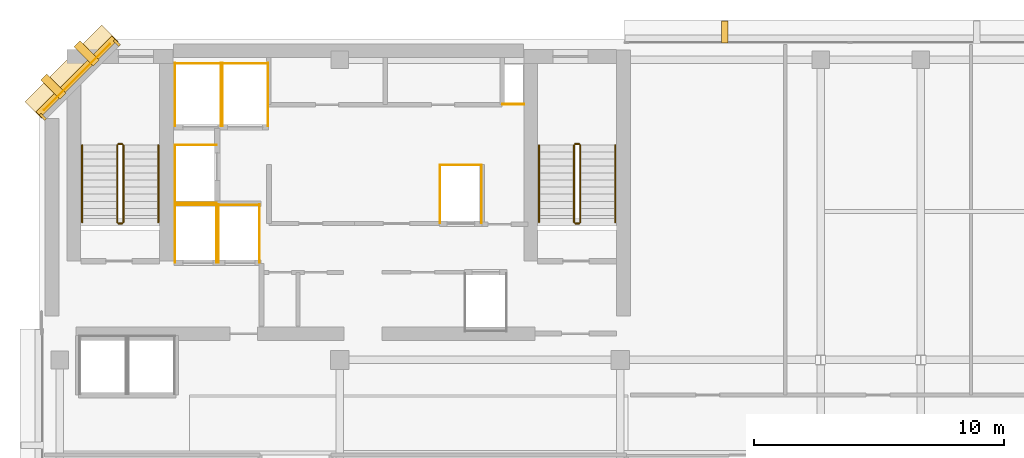
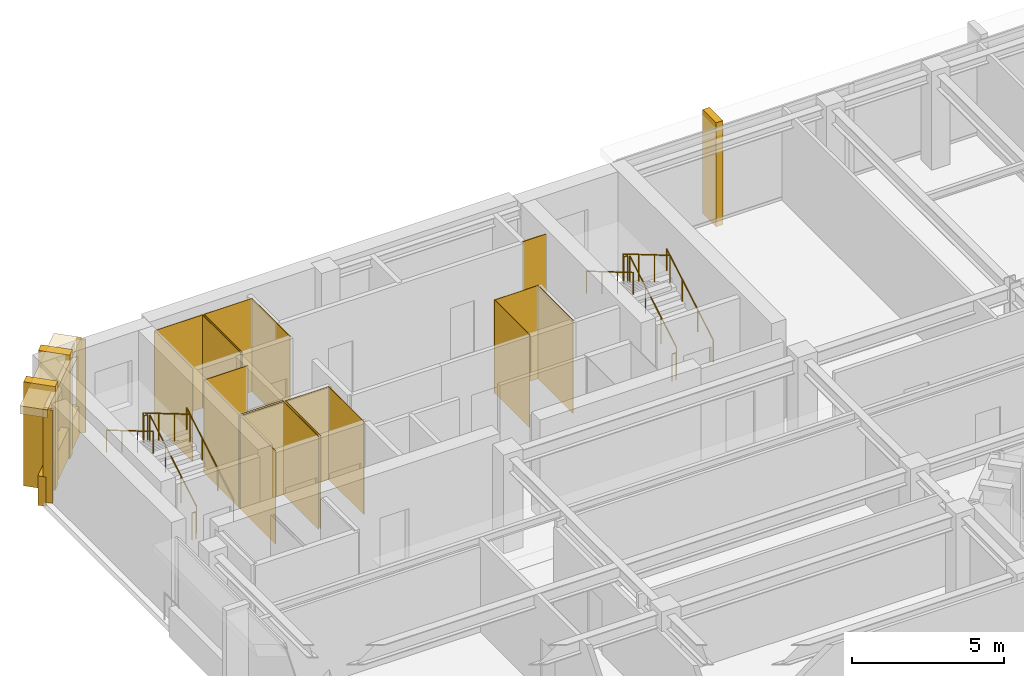
# One storey, part 10 of 11: 27 coverings, 12 railings.
"""IFC4 building model written with IfcOpenShell, lengths in metres."""

from ifc_helpers import new_model, si_unit, direction, frame, origin, origin_2d, place, context, subcontext, project, spatial, polyline, rectangle, circle, outline, extrude, material, layer, layer_set, type_object, element, save


model = new_model("IFC4")

# Units and contexts
model_context = context("Model", 3, precision=1e-05, world=origin(), true_north=direction((0.0, 1.0)))
body_context = subcontext(model_context, "Body", "Model", "MODEL_VIEW")
ifc_project = project(units=[si_unit("LENGTHUNIT", "METRE"), si_unit("AREAUNIT", "SQUARE_METRE"), si_unit("VOLUMEUNIT", "CUBIC_METRE"), si_unit("PLANEANGLEUNIT", "RADIAN"), si_unit("MASSUNIT", "GRAM", prefix="KILO")], contexts=[model_context])

# Site, building, storey
site_placement = place(None, origin())
site = spatial("IfcSite", under=ifc_project, at=site_placement, CompositionType="ELEMENT")
building_placement = place(site_placement, origin())
building = spatial("IfcBuilding", under=site, at=building_placement, Name="Kefirva Bronze Tower", CompositionType="ELEMENT")
storey_placement = place(building_placement, frame((0.0, 0.0, 307.889892578125)))
storey = spatial("IfcBuildingStorey", under=building, at=storey_placement, Name="L75", CompositionType="ELEMENT", Elevation=307.889892578125)

# Coverings
ifc_material_1 = material(Name="Bronze anodised aluminium", Category="aluminium")
ifc_layer_1 = layer(ifc_material_1, 0.02001953125, Name="Bronze anodised aluminium")
ifc_layer_set_1 = layer_set([ifc_layer_1], Name="Bronze anodised aluminium")
covering_type_1 = type_object("IfcCoveringType", Name="Anodised Bronze Spandrel Cladding 20mm", PredefinedType="CLADDING", material=ifc_layer_set_1)
covering_1_placement = place(storey_placement, frame((1.492919921875, 44.507080078125, 3.320068359375), z_axis=(0.0, 0.0, 1.0), x_axis=(-0.707106781187, -0.707106781187, 0.0)))
element("IfcCovering", 1, at=covering_1_placement, inside=storey, type_object=covering_type_1, Name="L75 Bronze Spandrel Cladding 6", PredefinedType="CLADDING", context=body_context, shape_type="SweptSolid", body=[
    extrude(rectangle(XDim=3.719482421875, YDim=0.02001953125, at=origin_2d()), origin(), (0.0, 0.0, 1.0), 0.39990234375),
])
for number, where, z_axis, x_axis, name in (
    (2, (3.08837890625, 45.862060546875, 0.0), (0.0, 0.0, 1.0), (-0.707106781187, -0.707106781187, 0.0), "L75 Facade Joint Closure Panel 6S"),
    (3, (0.137939453125, 42.91162109375, 0.0), (0.0, 0.0, 1.0), (-0.707106781187, -0.707106781187, 0.0), "L75 Facade Joint Closure Panel 6E"),
):
    element("IfcCovering", number, at=place(storey_placement, frame(where, z_axis=z_axis, x_axis=x_axis)), inside=storey, type_object=covering_type_1, Name=name, PredefinedType="CLADDING", context=body_context, shape_type="SweptSolid", body=[
        extrude(rectangle(XDim=0.10009765625, YDim=0.320068359375, at=origin_2d()), origin(), (0.0, 0.0, 1.0), 3.739990234375),
    ])
covering_2_placement = place(storey_placement, frame((1.4716796875, 44.5283203125, -0.15966796875), z_axis=(0.0, 0.0, 1.0), x_axis=(-0.707106781187, -0.707106781187, 0.0)))
element("IfcCovering", 4, at=covering_2_placement, inside=storey, type_object=covering_type_1, Name="L75 Streamline Horizontal Spandrel Band 9", PredefinedType="CLADDING", context=body_context, shape_type="SweptSolid", body=[
    extrude(rectangle(XDim=4.28271484375, YDim=0.280029296875, at=origin_2d()), origin(), (0.0, 0.0, 1.0), 1.179931640625),
])
covering_3_placement = place(storey_placement, origin())
element("IfcCovering", 5, at=covering_3_placement, inside=storey, type_object=covering_type_1, Name="L75 Lift FF1 Hoistway Liner N", PredefinedType="CLADDING", context=body_context, shape_type="SweptSolid", body=[
    extrude(outline(polyline([(5.39990234375, 39.389892578125), (7.080078125, 39.389892578125), (7.080078125, 39.409912109375), (5.39990234375, 39.409912109375), (5.39990234375, 39.389892578125)])), origin(), (0.0, 0.0, 1.0), 3.739990234375),
])
covering_4_placement = place(storey_placement, origin())
element("IfcCovering", 6, at=covering_4_placement, inside=storey, type_object=covering_type_1, Name="L75 Lift FF1 Hoistway Liner W", PredefinedType="CLADDING", context=body_context, shape_type="SweptSolid", body=[
    extrude(outline(polyline([(5.409912109375, 37.080078125), (5.429931640625, 37.080078125), (5.429931640625, 39.419921875), (5.409912109375, 39.419921875), (5.409912109375, 37.080078125)])), origin(), (0.0, 0.0, 1.0), 3.739990234375),
])
covering_5_placement = place(storey_placement, origin())
element("IfcCovering", 7, at=covering_5_placement, inside=storey, type_object=covering_type_1, Name="L75 Lift FF1 Hoistway Liner E", PredefinedType="CLADDING", context=body_context, shape_type="SweptSolid", body=[
    extrude(outline(polyline([(7.050048828125, 37.080078125), (7.070068359375, 37.080078125), (7.070068359375, 39.419921875), (7.050048828125, 39.419921875), (7.050048828125, 37.080078125)])), origin(), (0.0, 0.0, 1.0), 3.739990234375),
])
covering_6_placement = place(storey_placement, origin())
element("IfcCovering", 8, at=covering_6_placement, inside=storey, type_object=covering_type_1, Name="L75 Lift FF2 Hoistway Liner N", PredefinedType="CLADDING", context=body_context, shape_type="SweptSolid", body=[
    extrude(outline(polyline([(7.1201171875, 39.389892578125), (8.800048828125, 39.389892578125), (8.800048828125, 39.409912109375), (7.1201171875, 39.409912109375), (7.1201171875, 39.389892578125)])), origin(), (0.0, 0.0, 1.0), 3.739990234375),
])
covering_7_placement = place(storey_placement, origin())
element("IfcCovering", 9, at=covering_7_placement, inside=storey, type_object=covering_type_1, Name="L75 Lift FF2 Hoistway Liner W", PredefinedType="CLADDING", context=body_context, shape_type="SweptSolid", body=[
    extrude(outline(polyline([(7.1298828125, 37.080078125), (7.14990234375, 37.080078125), (7.14990234375, 39.419921875), (7.1298828125, 39.419921875), (7.1298828125, 37.080078125)])), origin(), (0.0, 0.0, 1.0), 3.739990234375),
])
covering_8_placement = place(storey_placement, origin())
element("IfcCovering", 10, at=covering_8_placement, inside=storey, type_object=covering_type_1, Name="L75 Lift FF2 Hoistway Liner E", PredefinedType="CLADDING", context=body_context, shape_type="SweptSolid", body=[
    extrude(outline(polyline([(8.77001953125, 37.080078125), (8.7900390625, 37.080078125), (8.7900390625, 39.419921875), (8.77001953125, 39.419921875), (8.77001953125, 37.080078125)])), origin(), (0.0, 0.0, 1.0), 3.739990234375),
])
covering_9_placement = place(storey_placement, origin())
element("IfcCovering", 11, at=covering_9_placement, inside=storey, type_object=covering_type_1, Name="L75 Lift SV1 Hoistway Liner N", PredefinedType="CLADDING", context=body_context, shape_type="SweptSolid", body=[
    extrude(outline(polyline([(5.39990234375, 45.0400390625), (7.260009765625, 45.0400390625), (7.260009765625, 45.06005859375), (5.39990234375, 45.06005859375), (5.39990234375, 45.0400390625)])), origin(), (0.0, 0.0, 1.0), 3.739990234375),
])
covering_10_placement = place(storey_placement, origin())
element("IfcCovering", 12, at=covering_10_placement, inside=storey, type_object=covering_type_1, Name="L75 Lift SV1 Hoistway Liner W", PredefinedType="CLADDING", context=body_context, shape_type="SweptSolid", body=[
    extrude(outline(polyline([(5.409912109375, 42.530029296875), (5.429931640625, 42.530029296875), (5.429931640625, 45.070068359375), (5.409912109375, 45.070068359375), (5.409912109375, 42.530029296875)])), origin(), (0.0, 0.0, 1.0), 3.739990234375),
])
covering_11_placement = place(storey_placement, origin())
element("IfcCovering", 13, at=covering_11_placement, inside=storey, type_object=covering_type_1, Name="L75 Lift SV1 Hoistway Liner E", PredefinedType="CLADDING", context=body_context, shape_type="SweptSolid", body=[
    extrude(outline(polyline([(7.22998046875, 42.530029296875), (7.25, 42.530029296875), (7.25, 45.070068359375), (7.22998046875, 45.070068359375), (7.22998046875, 42.530029296875)])), origin(), (0.0, 0.0, 1.0), 3.739990234375),
])
covering_12_placement = place(storey_placement, origin())
element("IfcCovering", 14, at=covering_12_placement, inside=storey, type_object=covering_type_1, Name="L75 Lift SV2 Hoistway Liner N", PredefinedType="CLADDING", context=body_context, shape_type="SweptSolid", body=[
    extrude(outline(polyline([(7.280029296875, 45.0400390625), (9.139892578125, 45.0400390625), (9.139892578125, 45.06005859375), (7.280029296875, 45.06005859375), (7.280029296875, 45.0400390625)])), origin(), (0.0, 0.0, 1.0), 3.739990234375),
])
covering_13_placement = place(storey_placement, origin())
element("IfcCovering", 15, at=covering_13_placement, inside=storey, type_object=covering_type_1, Name="L75 Lift SV2 Hoistway Liner W", PredefinedType="CLADDING", context=body_context, shape_type="SweptSolid", body=[
    extrude(outline(polyline([(7.2900390625, 42.530029296875), (7.31005859375, 42.530029296875), (7.31005859375, 45.070068359375), (7.2900390625, 45.070068359375), (7.2900390625, 42.530029296875)])), origin(), (0.0, 0.0, 1.0), 3.739990234375),
])
covering_14_placement = place(storey_placement, origin())
element("IfcCovering", 16, at=covering_14_placement, inside=storey, type_object=covering_type_1, Name="L75 Lift SV2 Hoistway Liner E", PredefinedType="CLADDING", context=body_context, shape_type="SweptSolid", body=[
    extrude(outline(polyline([(9.110107421875, 42.530029296875), (9.1298828125, 42.530029296875), (9.1298828125, 45.070068359375), (9.110107421875, 45.070068359375), (9.110107421875, 42.530029296875)])), origin(), (0.0, 0.0, 1.0), 3.739990234375),
])
covering_15_placement = place(storey_placement, origin())
element("IfcCovering", 17, at=covering_15_placement, inside=storey, type_object=covering_type_1, Name="L75 Lift HP2 Hoistway Liner N", PredefinedType="CLADDING", context=body_context, shape_type="SweptSolid", body=[
    extrude(outline(polyline([(15.97998046875, 40.969970703125), (17.669921875, 40.969970703125), (17.669921875, 40.989990234375), (15.97998046875, 40.989990234375), (15.97998046875, 40.969970703125)])), origin(), (0.0, 0.0, 1.0), 3.739990234375),
])
covering_16_placement = place(storey_placement, origin())
element("IfcCovering", 18, at=covering_16_placement, inside=storey, type_object=covering_type_1, Name="L75 Lift HP2 Hoistway Liner W", PredefinedType="CLADDING", context=body_context, shape_type="SweptSolid", body=[
    extrude(outline(polyline([(15.989990234375, 38.659912109375), (16.010009765625, 38.659912109375), (16.010009765625, 41.0), (15.989990234375, 41.0), (15.989990234375, 38.659912109375)])), origin(), (0.0, 0.0, 1.0), 3.739990234375),
])
covering_17_placement = place(storey_placement, origin())
element("IfcCovering", 19, at=covering_17_placement, inside=storey, type_object=covering_type_1, Name="L75 Lift HP2 Hoistway Liner E", PredefinedType="CLADDING", context=body_context, shape_type="SweptSolid", body=[
    extrude(outline(polyline([(17.639892578125, 38.659912109375), (17.659912109375, 38.659912109375), (17.659912109375, 41.0), (17.639892578125, 41.0), (17.639892578125, 38.659912109375)])), origin(), (0.0, 0.0, 1.0), 3.739990234375),
])
covering_18_placement = place(storey_placement, origin())
element("IfcCovering", 20, at=covering_18_placement, inside=storey, type_object=covering_type_1, Name="L75 Lift HP3 Hoistway Liner N", PredefinedType="CLADDING", context=body_context, shape_type="SweptSolid", body=[
    extrude(outline(polyline([(5.39990234375, 41.77001953125), (7.080078125, 41.77001953125), (7.080078125, 41.7900390625), (5.39990234375, 41.7900390625), (5.39990234375, 41.77001953125)])), origin(), (0.0, 0.0, 1.0), 3.739990234375),
])
covering_19_placement = place(storey_placement, origin())
element("IfcCovering", 21, at=covering_19_placement, inside=storey, type_object=covering_type_1, Name="L75 Lift HP3 Hoistway Liner S", PredefinedType="CLADDING", context=body_context, shape_type="SweptSolid", body=[
    extrude(outline(polyline([(5.39990234375, 39.469970703125), (7.080078125, 39.469970703125), (7.080078125, 39.489990234375), (5.39990234375, 39.489990234375), (5.39990234375, 39.469970703125)])), origin(), (0.0, 0.0, 1.0), 3.739990234375),
])
covering_20_placement = place(storey_placement, origin())
element("IfcCovering", 22, at=covering_20_placement, inside=storey, type_object=covering_type_1, Name="L75 Lift HP3 Hoistway Liner W", PredefinedType="CLADDING", context=body_context, shape_type="SweptSolid", body=[
    extrude(outline(polyline([(5.409912109375, 39.4599609375), (5.429931640625, 39.4599609375), (5.429931640625, 41.800048828125), (5.409912109375, 41.800048828125), (5.409912109375, 39.4599609375)])), origin(), (0.0, 0.0, 1.0), 3.739990234375),
])
covering_21_placement = place(storey_placement, origin())
element("IfcCovering", 23, at=covering_21_placement, inside=storey, type_object=covering_type_1, Name="L75 Core MEP Riser Shaft Liner South", PredefinedType="CLADDING", context=body_context, shape_type="SweptSolid", body=[
    extrude(outline(polyline([(18.47998046875, 43.39990234375), (19.360107421875, 43.39990234375), (19.360107421875, 43.429931640625), (18.47998046875, 43.429931640625), (18.47998046875, 43.39990234375)])), origin(), (0.0, 0.0, 1.0), 3.739990234375),
])

# Railings
ifc_material_2 = material(Name="Stainless steel 316", Category="steel")
railing_type_1 = type_object("IfcRailingType", Name="Interior Stair Guardrail 1100mm", PredefinedType="GUARDRAIL", material=ifc_material_2)
railing_1_placement = place(storey_placement, frame((3.35009765625, 38.699951171875, 0.1650390625)))
element("IfcRailing", 24, at=railing_1_placement, inside=storey, type_object=railing_type_1, Name="L75 ST-1 stair guard 1", PredefinedType="GUARDRAIL", context=body_context, shape_type="SweptSolid", body=[
    extrude(circle(Radius=0.02392578125, at=origin_2d()), frame((0.0, 0.0, 1.076171875), z_axis=(0.0, 0.861521393093, 0.507721271215), x_axis=(-1.0, 0.0, 0.0)), (0.0, 0.0, 1.0), 3.5751953125),
    extrude(circle(Radius=0.02099609375, at=origin_2d()), origin(), (0.0, 0.0, 1.0), 1.052001953125),
    extrude(circle(Radius=0.02099609375, at=origin_2d()), frame((0.0, 1.026611328125, 0.60498046875)), (0.0, 0.0, 1.0), 1.052001953125),
    extrude(circle(Radius=0.02099609375, at=origin_2d()), frame((0.0, 2.053466796875, 1.210205078125)), (0.0, 0.0, 1.0), 1.052001953125),
    extrude(circle(Radius=0.02099609375, at=origin_2d()), frame((0.0, 3.080078125, 1.815185546875)), (0.0, 0.0, 1.0), 1.052001953125),
])
railing_2_placement = place(storey_placement, frame((3.300048828125, 41.830078125, 1.980224609375)))
element("IfcRailing", 25, at=railing_2_placement, inside=storey, type_object=railing_type_1, Name="L75 ST-1 stair guard 2", PredefinedType="GUARDRAIL", context=body_context, shape_type="SweptSolid", body=[
    extrude(circle(Radius=0.02392578125, at=origin_2d()), frame((0.0, 0.0, 1.076171875), z_axis=(-1.0, 0.0, 0.0), x_axis=(0.0, -1.0, 0.0)), (0.0, 0.0, 1.0), 0.150146484375),
    extrude(circle(Radius=0.02099609375, at=origin_2d()), origin(), (0.0, 0.0, 1.0), 1.052001953125),
    extrude(circle(Radius=0.02099609375, at=origin_2d()), frame((-0.150146484375, 0.0, 0.0)), (0.0, 0.0, 1.0), 1.052001953125),
])
railing_3_placement = place(storey_placement, frame((3.10009765625, 41.780029296875, 2.14501953125)))
element("IfcRailing", 26, at=railing_3_placement, inside=storey, type_object=railing_type_1, Name="L75 ST-1 stair guard 3", PredefinedType="GUARDRAIL", context=body_context, shape_type="SweptSolid", body=[
    extrude(circle(Radius=0.02392578125, at=origin_2d()), frame((0.0, 0.0, 1.076171875), z_axis=(0.0, -0.861521393093, 0.507721271215), x_axis=(1.0, 0.0, 0.0)), (0.0, 0.0, 1.0), 3.5751953125),
    extrude(circle(Radius=0.02099609375, at=origin_2d()), origin(), (0.0, 0.0, 1.0), 1.052001953125),
    extrude(circle(Radius=0.02099609375, at=origin_2d()), frame((0.0, -1.026611328125, 0.60498046875)), (0.0, 0.0, 1.0), 1.052001953125),
    extrude(circle(Radius=0.02099609375, at=origin_2d()), frame((0.0, -2.053466796875, 1.210205078125)), (0.0, 0.0, 1.0), 1.052001953125),
    extrude(circle(Radius=0.02099609375, at=origin_2d()), frame((0.0, -3.080078125, 1.815185546875)), (0.0, 0.0, 1.0), 1.052001953125),
])
railing_4_placement = place(storey_placement, frame((3.300048828125, 38.64990234375, 0.0)))
element("IfcRailing", 27, at=railing_4_placement, inside=storey, type_object=railing_type_1, Name="L75 ST-1 stair guard 4", PredefinedType="GUARDRAIL", context=body_context, shape_type="SweptSolid", body=[
    extrude(circle(Radius=0.02392578125, at=origin_2d()), frame((0.0, 0.0, 1.076171875), z_axis=(-1.0, 0.0, 0.0), x_axis=(0.0, -1.0, 0.0)), (0.0, 0.0, 1.0), 0.150146484375),
    extrude(circle(Radius=0.02099609375, at=origin_2d()), origin(), (0.0, 0.0, 1.0), 1.052001953125),
    extrude(circle(Radius=0.02099609375, at=origin_2d()), frame((-0.150146484375, 0.0, 0.0)), (0.0, 0.0, 1.0), 1.052001953125),
])
railing_5_placement = place(storey_placement, frame((21.60009765625, 38.699951171875, 0.1650390625)))
element("IfcRailing", 28, at=railing_5_placement, inside=storey, type_object=railing_type_1, Name="L75 ST-2 stair guard 1", PredefinedType="GUARDRAIL", context=body_context, shape_type="SweptSolid", body=[
    extrude(circle(Radius=0.02392578125, at=origin_2d()), frame((0.0, 0.0, 1.076171875), z_axis=(0.0, 0.861521393093, 0.507721271215), x_axis=(-1.0, 0.0, 0.0)), (0.0, 0.0, 1.0), 3.5751953125),
    extrude(circle(Radius=0.02099609375, at=origin_2d()), origin(), (0.0, 0.0, 1.0), 1.052001953125),
    extrude(circle(Radius=0.02099609375, at=origin_2d()), frame((0.0, 1.026611328125, 0.60498046875)), (0.0, 0.0, 1.0), 1.052001953125),
    extrude(circle(Radius=0.02099609375, at=origin_2d()), frame((0.0, 2.053466796875, 1.210205078125)), (0.0, 0.0, 1.0), 1.052001953125),
    extrude(circle(Radius=0.02099609375, at=origin_2d()), frame((0.0, 3.080078125, 1.815185546875)), (0.0, 0.0, 1.0), 1.052001953125),
])
railing_6_placement = place(storey_placement, frame((21.550048828125, 41.830078125, 1.980224609375)))
element("IfcRailing", 29, at=railing_6_placement, inside=storey, type_object=railing_type_1, Name="L75 ST-2 stair guard 2", PredefinedType="GUARDRAIL", context=body_context, shape_type="SweptSolid", body=[
    extrude(circle(Radius=0.02392578125, at=origin_2d()), frame((0.0, 0.0, 1.076171875), z_axis=(-1.0, 0.0, 0.0), x_axis=(0.0, -1.0, 0.0)), (0.0, 0.0, 1.0), 0.150146484375),
    extrude(circle(Radius=0.02099609375, at=origin_2d()), origin(), (0.0, 0.0, 1.0), 1.052001953125),
    extrude(circle(Radius=0.02099609375, at=origin_2d()), frame((-0.150146484375, 0.0, 0.0)), (0.0, 0.0, 1.0), 1.052001953125),
])
railing_7_placement = place(storey_placement, frame((21.35009765625, 41.780029296875, 2.14501953125)))
element("IfcRailing", 30, at=railing_7_placement, inside=storey, type_object=railing_type_1, Name="L75 ST-2 stair guard 3", PredefinedType="GUARDRAIL", context=body_context, shape_type="SweptSolid", body=[
    extrude(circle(Radius=0.02392578125, at=origin_2d()), frame((0.0, 0.0, 1.076171875), z_axis=(0.0, -0.861521393093, 0.507721271215), x_axis=(1.0, 0.0, 0.0)), (0.0, 0.0, 1.0), 3.5751953125),
    extrude(circle(Radius=0.02099609375, at=origin_2d()), origin(), (0.0, 0.0, 1.0), 1.052001953125),
    extrude(circle(Radius=0.02099609375, at=origin_2d()), frame((0.0, -1.026611328125, 0.60498046875)), (0.0, 0.0, 1.0), 1.052001953125),
    extrude(circle(Radius=0.02099609375, at=origin_2d()), frame((0.0, -2.053466796875, 1.210205078125)), (0.0, 0.0, 1.0), 1.052001953125),
    extrude(circle(Radius=0.02099609375, at=origin_2d()), frame((0.0, -3.080078125, 1.815185546875)), (0.0, 0.0, 1.0), 1.052001953125),
])
railing_8_placement = place(storey_placement, frame((21.550048828125, 38.64990234375, 0.0)))
element("IfcRailing", 31, at=railing_8_placement, inside=storey, type_object=railing_type_1, Name="L75 ST-2 stair guard 4", PredefinedType="GUARDRAIL", context=body_context, shape_type="SweptSolid", body=[
    extrude(circle(Radius=0.02392578125, at=origin_2d()), frame((0.0, 0.0, 1.076171875), z_axis=(-1.0, 0.0, 0.0), x_axis=(0.0, -1.0, 0.0)), (0.0, 0.0, 1.0), 0.150146484375),
    extrude(circle(Radius=0.02099609375, at=origin_2d()), origin(), (0.0, 0.0, 1.0), 1.052001953125),
    extrude(circle(Radius=0.02099609375, at=origin_2d()), frame((-0.150146484375, 0.0, 0.0)), (0.0, 0.0, 1.0), 1.052001953125),
])
railing_type_2 = type_object("IfcRailingType", Name="Stair Pitch Handrail 900mm", PredefinedType="HANDRAIL", material=ifc_material_2)
railing_9_placement = place(storey_placement, frame((4.75, 38.699951171875, 0.1650390625)))
element("IfcRailing", 32, at=railing_9_placement, inside=storey, type_object=railing_type_2, Name="L75 ST-1 stair handrail 1", PredefinedType="HANDRAIL", context=body_context, shape_type="SweptSolid", body=[
    extrude(circle(Radius=0.02392578125, at=origin_2d()), frame((0.0, 0.0, 0.8759765625), z_axis=(0.0, 0.861521393093, 0.507721271215), x_axis=(-1.0, 0.0, 0.0)), (0.0, 0.0, 1.0), 3.5751953125),
    extrude(circle(Radius=0.02099609375, at=origin_2d()), origin(), (0.0, 0.0, 1.0), 0.851806640625),
    extrude(circle(Radius=0.02099609375, at=origin_2d()), frame((0.0, 1.026611328125, 0.60498046875)), (0.0, 0.0, 1.0), 0.851806640625),
    extrude(circle(Radius=0.02099609375, at=origin_2d()), frame((0.0, 2.053466796875, 1.210205078125)), (0.0, 0.0, 1.0), 0.851806640625),
    extrude(circle(Radius=0.02099609375, at=origin_2d()), frame((0.0, 3.080078125, 1.815185546875)), (0.0, 0.0, 1.0), 0.851806640625),
])
railing_10_placement = place(storey_placement, frame((1.699951171875, 41.780029296875, 2.14501953125)))
element("IfcRailing", 33, at=railing_10_placement, inside=storey, type_object=railing_type_2, Name="L75 ST-1 stair handrail 2", PredefinedType="HANDRAIL", context=body_context, shape_type="SweptSolid", body=[
    extrude(circle(Radius=0.02392578125, at=origin_2d()), frame((0.0, 0.0, 0.8759765625), z_axis=(0.0, -0.861521393093, 0.507721271215), x_axis=(1.0, 0.0, 0.0)), (0.0, 0.0, 1.0), 3.5751953125),
    extrude(circle(Radius=0.02099609375, at=origin_2d()), origin(), (0.0, 0.0, 1.0), 0.851806640625),
    extrude(circle(Radius=0.02099609375, at=origin_2d()), frame((0.0, -1.026611328125, 0.60498046875)), (0.0, 0.0, 1.0), 0.851806640625),
    extrude(circle(Radius=0.02099609375, at=origin_2d()), frame((0.0, -2.053466796875, 1.210205078125)), (0.0, 0.0, 1.0), 0.851806640625),
    extrude(circle(Radius=0.02099609375, at=origin_2d()), frame((0.0, -3.080078125, 1.815185546875)), (0.0, 0.0, 1.0), 0.851806640625),
])
railing_11_placement = place(storey_placement, frame((23.0, 38.699951171875, 0.1650390625)))
element("IfcRailing", 34, at=railing_11_placement, inside=storey, type_object=railing_type_2, Name="L75 ST-2 stair handrail 1", PredefinedType="HANDRAIL", context=body_context, shape_type="SweptSolid", body=[
    extrude(circle(Radius=0.02392578125, at=origin_2d()), frame((0.0, 0.0, 0.8759765625), z_axis=(0.0, 0.861521393093, 0.507721271215), x_axis=(-1.0, 0.0, 0.0)), (0.0, 0.0, 1.0), 3.5751953125),
    extrude(circle(Radius=0.02099609375, at=origin_2d()), origin(), (0.0, 0.0, 1.0), 0.851806640625),
    extrude(circle(Radius=0.02099609375, at=origin_2d()), frame((0.0, 1.026611328125, 0.60498046875)), (0.0, 0.0, 1.0), 0.851806640625),
    extrude(circle(Radius=0.02099609375, at=origin_2d()), frame((0.0, 2.053466796875, 1.210205078125)), (0.0, 0.0, 1.0), 0.851806640625),
    extrude(circle(Radius=0.02099609375, at=origin_2d()), frame((0.0, 3.080078125, 1.815185546875)), (0.0, 0.0, 1.0), 0.851806640625),
])
railing_12_placement = place(storey_placement, frame((19.949951171875, 41.780029296875, 2.14501953125)))
element("IfcRailing", 35, at=railing_12_placement, inside=storey, type_object=railing_type_2, Name="L75 ST-2 stair handrail 2", PredefinedType="HANDRAIL", context=body_context, shape_type="SweptSolid", body=[
    extrude(circle(Radius=0.02392578125, at=origin_2d()), frame((0.0, 0.0, 0.8759765625), z_axis=(0.0, -0.861521393093, 0.507721271215), x_axis=(1.0, 0.0, 0.0)), (0.0, 0.0, 1.0), 3.5751953125),
    extrude(circle(Radius=0.02099609375, at=origin_2d()), origin(), (0.0, 0.0, 1.0), 0.851806640625),
    extrude(circle(Radius=0.02099609375, at=origin_2d()), frame((0.0, -1.026611328125, 0.60498046875)), (0.0, 0.0, 1.0), 0.851806640625),
    extrude(circle(Radius=0.02099609375, at=origin_2d()), frame((0.0, -2.053466796875, 1.210205078125)), (0.0, 0.0, 1.0), 0.851806640625),
    extrude(circle(Radius=0.02099609375, at=origin_2d()), frame((0.0, -3.080078125, 1.815185546875)), (0.0, 0.0, 1.0), 0.851806640625),
])

# Coverings
ifc_layer_2 = layer(ifc_material_1, 0.179931640625, Name="Bronze anodised aluminium")
ifc_layer_set_2 = layer_set([ifc_layer_2], Name="Bronze anodised aluminium")
covering_type_2 = type_object("IfcCoveringType", Name="Streamline Bronze Sunshade Eyebrow Cladding 180mm", PredefinedType="CLADDING", material=ifc_layer_set_2)
covering_22_placement = place(storey_placement, frame((1.28076171875, 44.71923828125, 3.419921875), z_axis=(0.0, 0.0, 1.0), x_axis=(-0.707106781187, -0.707106781187, 0.0)))
element("IfcCovering", 36, at=covering_22_placement, inside=storey, type_object=covering_type_2, Name="L75 Streamline Bronze Sunshade Eyebrow 9", PredefinedType="CLADDING", context=body_context, shape_type="SweptSolid", body=[
    extrude(rectangle(XDim=4.322509765625, YDim=0.93994140625, at=origin_2d()), origin(), (0.0, 0.0, 1.0), 0.320068359375),
])
ifc_layer_3 = layer(ifc_material_1, 0.260009765625, Name="Bronze anodised aluminium")
ifc_layer_set_3 = layer_set([ifc_layer_3], Name="Bronze anodised aluminium")
covering_type_3 = type_object("IfcCoveringType", Name="Unbroken Bronze Buttress Fin Cladding 260mm", PredefinedType="CLADDING", material=ifc_layer_set_3)
covering_23_placement = place(storey_placement, frame((27.364013671875, 46.300048828125, -0.2197265625), z_axis=(0.0, 0.0, 1.0), x_axis=(-1.0, 0.0, 0.0)))
element("IfcCovering", 37, at=covering_23_placement, inside=storey, type_object=covering_type_3, Name="L75 Unbroken Vertical Bronze Rib Fin 18", PredefinedType="CLADDING", context=body_context, shape_type="SweptSolid", body=[
    extrude(rectangle(XDim=0.260009765625, YDim=0.8798828125, at=origin_2d()), origin(), (0.0, 0.0, 1.0), 4.179931640625),
])
for number, where, z_axis, x_axis, name in (
    (38, (1.877197265625, 45.44287109375, -0.2197265625), (0.0, 0.0, 1.0), (-0.707106781187, -0.707106781187, 0.0), "L75 Chamfered Corner Buttress Fin Cladding 19"),
    (39, (0.55712890625, 44.122802734375, -0.2197265625), (0.0, 0.0, 1.0), (-0.707106781187, -0.707106781187, 0.0), "L75 Chamfered Corner Buttress Fin Cladding 20"),
):
    element("IfcCovering", number, at=place(storey_placement, frame(where, z_axis=z_axis, x_axis=x_axis)), inside=storey, type_object=covering_type_3, Name=name, PredefinedType="CLADDING", context=body_context, shape_type="SweptSolid", body=[
        extrude(rectangle(XDim=0.340087890625, YDim=1.080078125, at=origin_2d()), origin(), (0.0, 0.0, 1.0), 4.179931640625),
    ])

save(model, "model.ifc")
